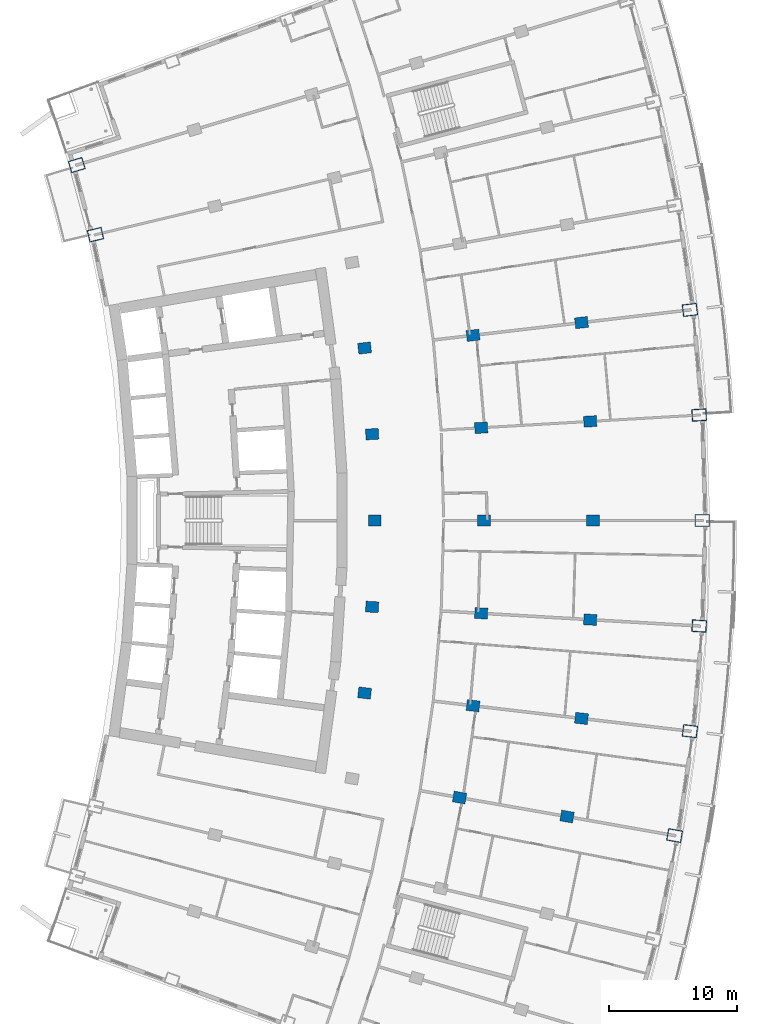
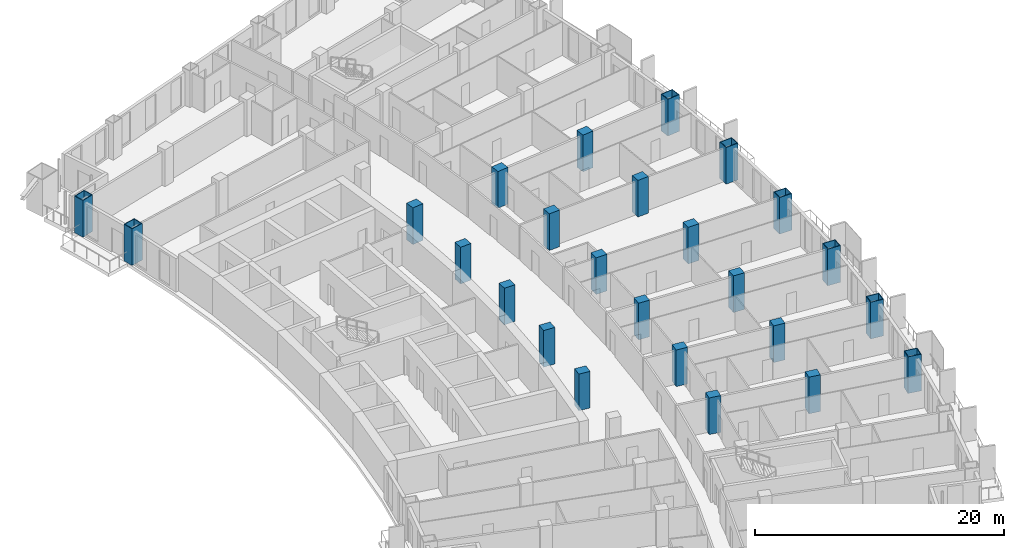
# One storey, part 6 of 24: 25 columns.
"""IFC4 building model written with IfcOpenShell, lengths in metres."""

from ifc_helpers import new_model, si_unit, direction, frame, origin, origin_2d, place, context, subcontext, project, spatial, rectangle, hollow_rectangle, extrude, material, material_profile, profile_set, type_object, element, save


model = new_model("IFC4")

# Units and contexts
model_context = context("Model", 3, precision=1e-05, world=origin(), true_north=direction((0.0, 1.0)))
body_context = subcontext(model_context, "Body", "Model", "MODEL_VIEW")
ifc_project = project(units=[si_unit("LENGTHUNIT", "METRE"), si_unit("AREAUNIT", "SQUARE_METRE"), si_unit("VOLUMEUNIT", "CUBIC_METRE"), si_unit("PLANEANGLEUNIT", "RADIAN"), si_unit("MASSUNIT", "GRAM", prefix="KILO")], contexts=[model_context])

# Site, building, storey
site_placement = place(None, origin())
site = spatial("IfcSite", under=ifc_project, at=site_placement, CompositionType="ELEMENT")
building_placement = place(site_placement, origin())
building = spatial("IfcBuilding", under=site, at=building_placement, Name="Alderwake Tower", CompositionType="ELEMENT")
storey_placement = place(building_placement, frame((0.0, 0.0, 96.800048828125)))
storey = spatial("IfcBuildingStorey", under=building, at=storey_placement, Name="L23", CompositionType="ELEMENT", Elevation=96.800048828125)

# Columns
ifc_material_1 = material(Name="Concrete C70/85", Category="concrete")
ifc_material_profile_1 = material_profile(ifc_material_1, rectangle(XDim=0.85009765625, YDim=1.0, at=origin_2d()), Name="RC 1000X850")
ifc_profile_set_1 = profile_set([ifc_material_profile_1], Name="Concrete C70/85")
column_type_1 = type_object("IfcColumnType", Name="Interior column Z2", PredefinedType="COLUMN", material=ifc_profile_set_1)
for number, where, z_axis, x_axis, name in (
    (1, (42.434326171875, 39.3525390625, 0.0), (0.0, 0.0, 1.0), (0.174107082075, 0.984726725529, 0.0), "Column R04-C3"),
    (2, (50.83740234375, 37.86669921875, 0.0), (0.0, 0.0, 1.0), (0.174108800747, 0.984726421654, 0.0), "Column R04-C4"),
    (3, (35.0126953125, 47.5205078125, 0.0), (0.0, 0.0, 1.0), (0.116402054316, 0.993202175668, 0.0), "Column R05-C2"),
    (4, (43.488037109375, 46.52734375, 0.0), (0.0, 0.0, 1.0), (0.116402054316, 0.993202175668, 0.0), "Column R05-C3"),
    (5, (51.96337890625, 45.533935546875, 0.0), (0.0, 0.0, 1.0), (0.116402054316, 0.993202175668, 0.0), "Column R05-C4"),
    (6, (35.60302734375, 54.248779296875, 0.0), (0.0, 0.0, 1.0), (0.058301061284, 0.998299046505, 0.0), "Column R06-C2"),
    (7, (44.121826171875, 53.751220703125, 0.0), (0.0, 0.0, 1.0), (0.058301061284, 0.998299046505, 0.0), "Column R06-C3"),
    (8, (52.640625, 53.25390625, 0.0), (0.0, 0.0, 1.0), (0.058301061284, 0.998299046505, 0.0), "Column R06-C4"),
    (9, (35.800048828125, 61.0, 0.0), (0.0, 0.0, 1.0), (0.0, 1.0, 0.0), "Column R07-C2"),
    (10, (44.333251953125, 61.0, 0.0), (0.0, 0.0, 1.0), (0.0, 1.0, 0.0), "Column R07-C3"),
    (11, (52.86669921875, 61.0, 0.0), (0.0, 0.0, 1.0), (0.0, 1.0, 0.0), "Column R07-C4"),
    (12, (35.60302734375, 67.751220703125, 0.0), (0.0, 0.0, 1.0), (-0.058301061284, 0.998299046505, 0.0), "Column R08-C2"),
    (13, (44.121826171875, 68.248779296875, 0.0), (0.0, 0.0, 1.0), (-0.058301061284, 0.998299046505, 0.0), "Column R08-C3"),
    (14, (52.640625, 68.74609375, 0.0), (0.0, 0.0, 1.0), (-0.058301061284, 0.998299046505, 0.0), "Column R08-C4"),
    (15, (35.0126953125, 74.4794921875, 0.0), (0.0, 0.0, 1.0), (-0.116402054316, 0.993202175668, 0.0), "Column R09-C2"),
    (16, (43.488037109375, 75.47265625, 0.0), (0.0, 0.0, 1.0), (-0.116402054316, 0.993202175668, 0.0), "Column R09-C3"),
    (17, (51.96337890625, 76.466064453125, 0.0), (0.0, 0.0, 1.0), (-0.116402054316, 0.993202175668, 0.0), "Column R09-C4"),
):
    element("IfcColumn", number, at=place(storey_placement, frame(where, z_axis=z_axis, x_axis=x_axis)), inside=storey, type_object=column_type_1, Name=name, PredefinedType="COLUMN", context=body_context, shape_type="SweptSolid", body=[
        extrude(rectangle(XDim=0.85009765625, YDim=1.0, at=origin_2d()), origin(), (0.0, 0.0, 1.0), 3.599853515625),
    ])
ifc_material_2 = material(Name="Steel ASTM A572 Grade 50 concrete filled C70/85", Category="concrete")
ifc_material_profile_2 = material_profile(ifc_material_2, hollow_rectangle(XDim=0.949951171875, YDim=1.14990234375, WallThickness=0.06005859375, at=origin_2d()), Name="BOX 1150X950X60")
ifc_profile_set_2 = profile_set([ifc_material_profile_2], Name="Steel ASTM A572 Grade 50 concrete filled C70/85")
column_type_2 = type_object("IfcColumnType", Name="Perimeter column Z2", PredefinedType="COLUMN", material=ifc_profile_set_2)
for number, where, z_axis, x_axis, name in (
    (18, (59.240234375, 36.381103515625, 0.0), (0.0, 0.0, 1.0), (0.174108800747, 0.984726421654, 0.0), "Column R04-C5"),
    (19, (60.438720703125, 44.540771484375, 0.0), (0.0, 0.0, 1.0), (0.116402054316, 0.993202175668, 0.0), "Column R05-C5"),
    (20, (61.159423828125, 52.75634765625, 0.0), (0.0, 0.0, 1.0), (0.058301061284, 0.998299046505, 0.0), "Column R06-C5"),
    (21, (61.39990234375, 61.0, 0.0), (0.0, 0.0, 1.0), (0.0, 1.0, 0.0), "Column R07-C5"),
    (22, (61.159423828125, 69.24365234375, 0.0), (0.0, 0.0, 1.0), (-0.058301061284, 0.998299046505, 0.0), "Column R08-C5"),
    (23, (60.438720703125, 77.459228515625, 0.0), (0.0, 0.0, 1.0), (-0.116402054316, 0.993202175668, 0.0), "Column R09-C5"),
    (24, (13.982177734375, 83.3359375, 0.0), (0.0, 0.0, 1.0), (-0.231221547198, 0.972901123502, 0.0), "Column R11-C0"),
    (25, (12.520263671875, 88.777099609375, 0.0), (0.0, 0.0, 1.0), (-0.287549418125, 0.957765802342, 0.0), "Column R12-C0"),
):
    element("IfcColumn", number, at=place(storey_placement, frame(where, z_axis=z_axis, x_axis=x_axis)), inside=storey, type_object=column_type_2, Name=name, PredefinedType="COLUMN", context=body_context, shape_type="SweptSolid", body=[
        extrude(hollow_rectangle(XDim=0.949951171875, YDim=1.14990234375, WallThickness=0.06005859375, at=origin_2d()), origin(), (0.0, 0.0, 1.0), 3.599853515625),
    ])

save(model, "model.ifc")
